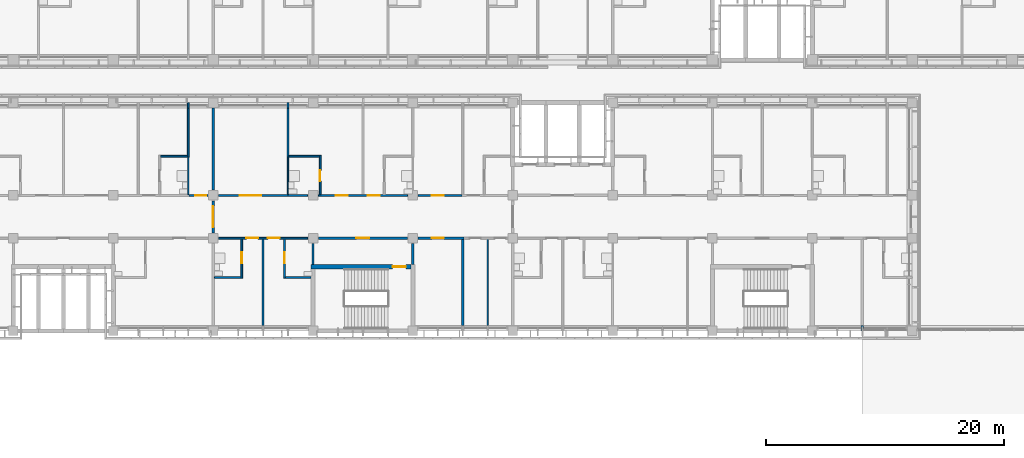
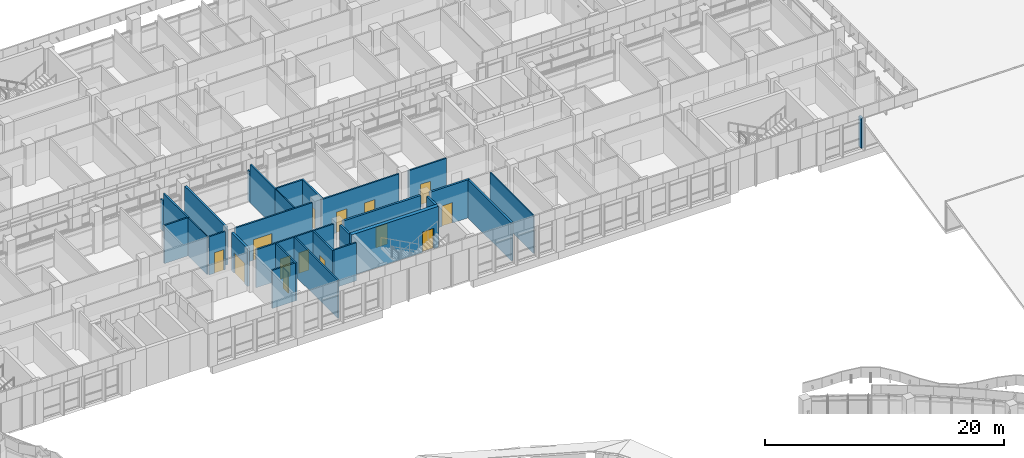
# One storey, part 79 of 137: 29 walls, 14 doors, 14 openings.
"""IFC4 building model written with IfcOpenShell, lengths in metres."""

from ifc_helpers import new_model, si_unit, direction, frame, frame_2d, origin, place, context, subcontext, project, spatial, rectangle, extrude, material, layer, layer_set, type_object, element, fill, save


model = new_model("IFC4")

# Units and contexts
model_context = context("Model", 3, precision=1e-05, world=origin(), true_north=direction((0.0, 1.0)))
body_context = subcontext(model_context, "Body", "Model", "MODEL_VIEW")
ifc_project = project(units=[si_unit("LENGTHUNIT", "METRE"), si_unit("AREAUNIT", "SQUARE_METRE"), si_unit("VOLUMEUNIT", "CUBIC_METRE"), si_unit("PLANEANGLEUNIT", "RADIAN"), si_unit("MASSUNIT", "GRAM", prefix="KILO")], contexts=[model_context])

# Site, building, storey
site_placement = place(None, origin())
site = spatial("IfcSite", under=ifc_project, at=site_placement, CompositionType="ELEMENT")
building_placement = place(site_placement, origin())
building = spatial("IfcBuilding", under=site, at=building_placement, Name="Bougainvillea Quay General Hospital", CompositionType="ELEMENT")
storey_placement = place(building_placement, frame((0.0, 0.0, 16.800048828125)))
storey = spatial("IfcBuildingStorey", under=building, at=storey_placement, Name="L03", CompositionType="ELEMENT", Elevation=16.800048828125)

# Walls
ifc_material_1 = material(Name="Gypsum board partition on steel studs", Category="steel")
ifc_layer_1 = layer(ifc_material_1, 0.10009765625)
ifc_layer_set_1 = layer_set([ifc_layer_1], Name="Gypsum board partition on steel studs")
wall_type_1 = type_object("IfcWallType", Name="Partition 100 Gypsum board partition", PredefinedType="PARTITIONING", material=ifc_layer_set_1)
wall_1_placement = place(storey_placement, frame((132.300048828125, 118.050048828125, 0.0), z_axis=(0.0, 0.0, 1.0), x_axis=(0.0, 1.0, 0.0)))
element("IfcWall", 1, at=wall_1_placement, inside=storey, type_object=wall_type_1, Name="Partition 100 mm", PredefinedType="PARTITIONING", context=body_context, shape_type="SweptSolid", body=[
    extrude(rectangle(XDim=7.27490234375, YDim=0.10009765625, at=frame_2d((3.637451171875, 0.0))), origin(), (0.0, 0.0, 1.0), 3.89990234375),
])
for number, where, z_axis, x_axis, name in (
    (2, (107.10009765625, 129.074951171875, 0.0), (0.0, 0.0, 1.0), (0.0, 1.0, 0.0), "Partition 100 mm"),
    (3, (115.5, 129.074951171875, 0.0), (0.0, 0.0, 1.0), (0.0, 1.0, 0.0), "Partition 100 mm"),
):
    element("IfcWall", number, at=place(storey_placement, frame(where, z_axis=z_axis, x_axis=x_axis)), inside=storey, type_object=wall_type_1, Name=name, PredefinedType="PARTITIONING", context=body_context, shape_type="SweptSolid", body=[
        extrude(rectangle(XDim=3.150146484375, YDim=0.10009765625, at=frame_2d((1.5751953125, 0.0))), origin(), (0.0, 0.0, 1.0), 3.89990234375),
    ])
ifc_material_2 = material(Name="Gypsum board partition on steel studs, insulated", Category="steel")
ifc_layer_2 = layer(ifc_material_2, 0.14990234375)
ifc_layer_set_2 = layer_set([ifc_layer_2], Name="Gypsum board partition on steel studs, insulated")
wall_type_2 = type_object("IfcWallType", Name="Partition 150 Gypsum board partition", PredefinedType="PARTITIONING", material=ifc_layer_set_2)
wall_2_placement = place(storey_placement, frame((113.39990234375, 118.050048828125, 0.0), z_axis=(0.0, 0.0, 1.0), x_axis=(0.0, 1.0, 0.0)))
element("IfcWall", 4, at=wall_2_placement, inside=storey, type_object=wall_type_2, Name="Partition 150 mm", PredefinedType="PARTITIONING", context=body_context, shape_type="SweptSolid", body=[
    extrude(rectangle(XDim=7.27490234375, YDim=0.14990234375, at=frame_2d((3.637451171875, 0.0))), origin(), (0.0, 0.0, 1.0), 3.89990234375),
])
wall_3_placement = place(storey_placement, frame((107.10009765625, 132.22509765625, 0.0), z_axis=(0.0, 0.0, 1.0), x_axis=(0.0, 1.0, 0.0)))
element("IfcWall", 5, at=wall_3_placement, inside=storey, type_object=wall_type_2, Name="Partition 150 mm", PredefinedType="PARTITIONING", context=body_context, shape_type="SweptSolid", body=[
    extrude(rectangle(XDim=4.125, YDim=0.14990234375, at=frame_2d((2.0625, 0.0))), origin(), (0.0, 0.0, 1.0), 3.89990234375),
])
wall_4_placement = place(storey_placement, frame((107.10009765625, 136.35009765625, 0.0), z_axis=(0.0, 0.0, 1.0), x_axis=(0.0, 1.0, 0.0)))
element("IfcWall", 6, at=wall_4_placement, inside=storey, type_object=wall_type_2, Name="Partition 150 mm", PredefinedType="PARTITIONING", context=body_context, shape_type="SweptSolid", body=[
    extrude(rectangle(XDim=0.449951171875, YDim=0.14990234375, at=frame_2d((0.22509765625, 0.0))), origin(), (0.0, 0.0, 1.0), 3.079833984375),
])
wall_5_placement = place(storey_placement, frame((115.5, 132.22509765625, 0.0), z_axis=(0.0, 0.0, 1.0), x_axis=(0.0, 1.0, 0.0)))
element("IfcWall", 7, at=wall_5_placement, inside=storey, type_object=wall_type_2, Name="Partition 150 mm", PredefinedType="PARTITIONING", context=body_context, shape_type="SweptSolid", body=[
    extrude(rectangle(XDim=4.125, YDim=0.14990234375, at=frame_2d((2.0625, 0.0))), origin(), (0.0, 0.0, 1.0), 3.89990234375),
])
wall_6_placement = place(storey_placement, frame((115.5, 136.35009765625, 0.0), z_axis=(0.0, 0.0, 1.0), x_axis=(0.0, 1.0, 0.0)))
element("IfcWall", 8, at=wall_6_placement, inside=storey, type_object=wall_type_2, Name="Partition 150 mm", PredefinedType="PARTITIONING", context=body_context, shape_type="SweptSolid", body=[
    extrude(rectangle(XDim=0.449951171875, YDim=0.14990234375, at=frame_2d((0.22509765625, 0.0))), origin(), (0.0, 0.0, 1.0), 3.079833984375),
])

# Wall, opening, door
wall_7_placement = place(storey_placement, frame((111.60009765625, 122.02490234375, 0.0), z_axis=(0.0, 0.0, 1.0), x_axis=(0.0, 1.0, 0.0)))
wall_7 = element("IfcWall", 9, at=wall_7_placement, inside=storey, type_object=wall_type_2, Name="Partition 150 mm", PredefinedType="PARTITIONING", context=body_context, shape_type="SweptSolid", body=[
    extrude(rectangle(XDim=3.300048828125, YDim=0.14990234375, at=frame_2d((1.64990234375, 0.0))), origin(), (0.0, 0.0, 1.0), 3.89990234375),
])
opening_1_placement = place(wall_7_placement, frame((1.27490234375, 0.0, 0.0)))
opening_1 = element("IfcOpeningElement", 10, at=opening_1_placement, cuts=wall_7, Name="Opening L03.102", PredefinedType="OPENING", context=body_context, shape_type="SweptSolid", body=[
    extrude(rectangle(XDim=0.89990234375, YDim=2.10009765625, at=frame_2d((0.449951171875, 1.050048828125))), frame((0.0, 0.0849609375, 0.0), z_axis=(0.0, -1.0, 0.0), x_axis=(1.0, 0.0, 0.0)), (0.0, 0.0, 1.0), 0.169921875),
])
ifc_material_3 = material(Name="Solid-core timber door leaf in steel frame", Category="steel")
door_type_1 = type_object("IfcDoorType", Name="Single leaf door 900x2100", OperationType="NOTDEFINED", PredefinedType="DOOR", material=ifc_material_3)
door_1_placement = place(opening_1_placement, origin())
door_1 = element("IfcDoor", 11, at=door_1_placement, inside=storey, type_object=door_type_1, Name="DT07 L03.102", OperationType="SINGLE_SWING_RIGHT", OverallHeight=2.10009765625, OverallWidth=0.89990234375, PredefinedType="DOOR", context=body_context, shape_type="SweptSolid", body=[
    extrude(rectangle(XDim=0.89990234375, YDim=2.10009765625, at=frame_2d((0.449951171875, 1.050048828125))), frame((0.0, 0.02490234375, 0.0), z_axis=(0.0, -1.0, 0.0), x_axis=(1.0, 0.0, 0.0)), (0.0, 0.0, 1.0), 0.050048828125),
])
fill(opening_1, door_1)

wall_8_placement = place(storey_placement, frame((115.199951171875, 122.02490234375, 0.0), z_axis=(0.0, 0.0, 1.0), x_axis=(0.0, 1.0, 0.0)))
wall_8 = element("IfcWall", 12, at=wall_8_placement, inside=storey, type_object=wall_type_2, Name="Partition 150 mm", PredefinedType="PARTITIONING", context=body_context, shape_type="SweptSolid", body=[
    extrude(rectangle(XDim=3.300048828125, YDim=0.14990234375, at=frame_2d((1.64990234375, 0.0))), origin(), (0.0, 0.0, 1.0), 3.89990234375),
])
opening_2_placement = place(wall_8_placement, frame((1.27490234375, 0.0, 0.0)))
opening_2 = element("IfcOpeningElement", 13, at=opening_2_placement, cuts=wall_8, Name="Opening L03.104", PredefinedType="OPENING", context=body_context, shape_type="SweptSolid", body=[
    extrude(rectangle(XDim=0.89990234375, YDim=2.10009765625, at=frame_2d((0.449951171875, 1.050048828125))), frame((0.0, 0.0849609375, 0.0), z_axis=(0.0, -1.0, 0.0), x_axis=(1.0, 0.0, 0.0)), (0.0, 0.0, 1.0), 0.169921875),
])
door_2_placement = place(opening_2_placement, frame((0.89990234375, 0.0, 0.0), z_axis=(0.0, 0.0, 1.0), x_axis=(-1.0, 0.0, 0.0)))
door_2 = element("IfcDoor", 14, at=door_2_placement, inside=storey, type_object=door_type_1, Name="DT07 L03.104", OperationType="SINGLE_SWING_LEFT", OverallHeight=2.10009765625, OverallWidth=0.89990234375, PredefinedType="DOOR", context=body_context, shape_type="SweptSolid", body=[
    extrude(rectangle(XDim=0.89990234375, YDim=2.10009765625, at=frame_2d((0.449951171875, 1.050048828125))), frame((0.0, 0.02490234375, 0.0), z_axis=(0.0, -1.0, 0.0), x_axis=(1.0, 0.0, 0.0)), (0.0, 0.0, 1.0), 0.050048828125),
])
fill(opening_2, door_2)

wall_9_placement = place(storey_placement, frame((118.199951171875, 129.074951171875, 0.0), z_axis=(0.0, 0.0, 1.0), x_axis=(0.0, 1.0, 0.0)))
wall_9 = element("IfcWall", 15, at=wall_9_placement, inside=storey, type_object=wall_type_2, Name="Partition 150 mm", PredefinedType="PARTITIONING", context=body_context, shape_type="SweptSolid", body=[
    extrude(rectangle(XDim=3.300048828125, YDim=0.14990234375, at=frame_2d((1.64990234375, 0.0))), origin(), (0.0, 0.0, 1.0), 3.89990234375),
])
opening_3_placement = place(wall_9_placement, frame((1.125, 0.0, 0.0)))
opening_3 = element("IfcOpeningElement", 16, at=opening_3_placement, cuts=wall_9, Name="Opening L03.107", PredefinedType="OPENING", context=body_context, shape_type="SweptSolid", body=[
    extrude(rectangle(XDim=0.89990234375, YDim=2.10009765625, at=frame_2d((0.449951171875, 1.050048828125))), frame((0.0, 0.0849609375, 0.0), z_axis=(0.0, -1.0, 0.0), x_axis=(1.0, 0.0, 0.0)), (0.0, 0.0, 1.0), 0.169921875),
])
door_3_placement = place(opening_3_placement, origin())
door_3 = element("IfcDoor", 17, at=door_3_placement, inside=storey, type_object=door_type_1, Name="DT07 L03.107", OperationType="SINGLE_SWING_LEFT", OverallHeight=2.10009765625, OverallWidth=0.89990234375, PredefinedType="DOOR", context=body_context, shape_type="SweptSolid", body=[
    extrude(rectangle(XDim=0.89990234375, YDim=2.10009765625, at=frame_2d((0.449951171875, 1.050048828125))), frame((0.0, 0.02490234375, 0.0), z_axis=(0.0, -1.0, 0.0), x_axis=(1.0, 0.0, 0.0)), (0.0, 0.0, 1.0), 0.050048828125),
])
fill(opening_3, door_3)

# Walls
wall_10_placement = place(storey_placement, frame((115.574951171875, 132.300048828125, 0.0), z_axis=(0.0, 0.0, 1.0), x_axis=(1.0, 0.0, 0.0)))
element("IfcWall", 18, at=wall_10_placement, inside=storey, type_object=wall_type_2, Name="Partition 150 mm", PredefinedType="PARTITIONING", context=body_context, shape_type="SweptSolid", body=[
    extrude(rectangle(XDim=2.550048828125, YDim=0.14990234375, at=frame_2d((1.27490234375, 0.0))), origin(), (0.0, 0.0, 1.0), 3.89990234375),
])
wall_11_placement = place(storey_placement, frame((104.77490234375, 132.300048828125, 0.0), z_axis=(0.0, 0.0, 1.0), x_axis=(1.0, 0.0, 0.0)))
element("IfcWall", 19, at=wall_11_placement, inside=storey, type_object=wall_type_2, Name="Partition 150 mm", PredefinedType="PARTITIONING", context=body_context, shape_type="SweptSolid", body=[
    extrude(rectangle(XDim=2.25, YDim=0.14990234375, at=frame_2d((1.125, 0.0))), origin(), (0.0, 0.0, 1.0), 3.89990234375),
])
wall_12_placement = place(storey_placement, frame((109.300048828125, 122.10009765625, 0.0), z_axis=(0.0, 0.0, 1.0), x_axis=(1.0, 0.0, 0.0)))
element("IfcWall", 20, at=wall_12_placement, inside=storey, type_object=wall_type_2, Name="Partition 150 mm", PredefinedType="PARTITIONING", context=body_context, shape_type="SweptSolid", body=[
    extrude(rectangle(XDim=2.224853515625, YDim=0.14990234375, at=frame_2d((1.1123046875, 0.0))), origin(), (0.0, 0.0, 1.0), 3.89990234375),
])
wall_13_placement = place(storey_placement, frame((115.27490234375, 122.10009765625, 0.0), z_axis=(0.0, 0.0, 1.0), x_axis=(1.0, 0.0, 0.0)))
element("IfcWall", 21, at=wall_13_placement, inside=storey, type_object=wall_type_2, Name="Partition 150 mm", PredefinedType="PARTITIONING", context=body_context, shape_type="SweptSolid", body=[
    extrude(rectangle(XDim=2.150146484375, YDim=0.14990234375, at=frame_2d((1.0751953125, 0.0))), origin(), (0.0, 0.0, 1.0), 3.89990234375),
])

# Wall, openings, doors
ifc_layer_3 = layer(ifc_material_2, 0.14990234375)
ifc_layer_set_3 = layer_set([ifc_layer_3], Name="Gypsum board partition on steel studs, insulated")
wall_type_3 = type_object("IfcWallType", Name="Partition 150 Gypsum board partition EI 30", PredefinedType="PARTITIONING", material=ifc_layer_set_3)
wall_14_placement = place(storey_placement, frame((117.14990234375, 125.39990234375, 0.0), z_axis=(0.0, 0.0, 1.0), x_axis=(-1.0, 0.0, 0.0)))
wall_14 = element("IfcWall", 22, at=wall_14_placement, inside=storey, type_object=wall_type_3, Name="Partition 150 mm EI 30", PredefinedType="PARTITIONING", context=body_context, shape_type="SweptSolid", body=[
    extrude(rectangle(XDim=7.5, YDim=0.14990234375, at=frame_2d((3.75, 0.0))), origin(), (0.0, 0.0, 1.0), 3.89990234375),
])
opening_4_placement = place(wall_14_placement, frame((4.14990234375, 0.0, 0.0)))
opening_4 = element("IfcOpeningElement", 23, at=opening_4_placement, cuts=wall_14, Name="Opening L03.101", PredefinedType="OPENING", context=body_context, shape_type="SweptSolid", body=[
    extrude(rectangle(XDim=1.0, YDim=2.10009765625, at=frame_2d((0.5, 1.050048828125))), frame((0.0, 0.0849609375, 0.0), z_axis=(0.0, -1.0, 0.0), x_axis=(1.0, 0.0, 0.0)), (0.0, 0.0, 1.0), 0.169921875),
])
opening_5_placement = place(wall_14_placement, frame((2.35009765625, 0.0, 0.0)))
opening_5 = element("IfcOpeningElement", 24, at=opening_5_placement, cuts=wall_14, Name="Opening L03.103", PredefinedType="OPENING", context=body_context, shape_type="SweptSolid", body=[
    extrude(rectangle(XDim=1.0, YDim=2.10009765625, at=frame_2d((0.5, 1.050048828125))), frame((0.0, 0.0849609375, 0.0), z_axis=(0.0, -1.0, 0.0), x_axis=(1.0, 0.0, 0.0)), (0.0, 0.0, 1.0), 0.169921875),
])
door_type_2 = type_object("IfcDoorType", Name="Single leaf door 1000x2100 FD30S", OperationType="NOTDEFINED", PredefinedType="DOOR", material=ifc_material_3)
door_4_placement = place(opening_4_placement, origin())
door_4 = element("IfcDoor", 25, at=door_4_placement, inside=storey, type_object=door_type_2, Name="DT15 L03.101", OperationType="SINGLE_SWING_RIGHT", OverallHeight=2.10009765625, OverallWidth=1.0, PredefinedType="DOOR", context=body_context, shape_type="SweptSolid", body=[
    extrude(rectangle(XDim=1.0, YDim=2.10009765625, at=frame_2d((0.5, 1.050048828125))), frame((0.0, 0.02490234375, 0.0), z_axis=(0.0, -1.0, 0.0), x_axis=(1.0, 0.0, 0.0)), (0.0, 0.0, 1.0), 0.050048828125),
])
fill(opening_4, door_4)
door_5_placement = place(opening_5_placement, origin())
door_5 = element("IfcDoor", 26, at=door_5_placement, inside=storey, type_object=door_type_2, Name="DT15 L03.103", OperationType="SINGLE_SWING_LEFT", OverallHeight=2.10009765625, OverallWidth=1.0, PredefinedType="DOOR", context=body_context, shape_type="SweptSolid", body=[
    extrude(rectangle(XDim=1.0, YDim=2.10009765625, at=frame_2d((0.5, 1.050048828125))), frame((0.0, 0.02490234375, 0.0), z_axis=(0.0, -1.0, 0.0), x_axis=(1.0, 0.0, 0.0)), (0.0, 0.0, 1.0), 0.050048828125),
])
fill(opening_5, door_5)

wall_15_placement = place(storey_placement, frame((125.550048828125, 129.0, 0.0), z_axis=(0.0, 0.0, 1.0), x_axis=(-1.0, 0.0, 0.0)))
wall_15 = element("IfcWall", 27, at=wall_15_placement, inside=storey, type_object=wall_type_3, Name="Partition 150 mm EI 30", PredefinedType="PARTITIONING", context=body_context, shape_type="SweptSolid", body=[
    extrude(rectangle(XDim=7.5, YDim=0.14990234375, at=frame_2d((3.75, 0.0))), origin(), (0.0, 0.0, 1.0), 3.89990234375),
])
opening_6_placement = place(wall_15_placement, frame((5.050048828125, 0.0, 0.0)))
opening_6 = element("IfcOpeningElement", 28, at=opening_6_placement, cuts=wall_15, Name="Opening L03.106", PredefinedType="OPENING", context=body_context, shape_type="SweptSolid", body=[
    extrude(rectangle(XDim=1.0, YDim=2.10009765625, at=frame_2d((0.5, 1.050048828125))), frame((0.0, 0.0849609375, 0.0), z_axis=(0.0, -1.0, 0.0), x_axis=(1.0, 0.0, 0.0)), (0.0, 0.0, 1.0), 0.169921875),
])
opening_7_placement = place(wall_15_placement, frame((2.35009765625, 0.0, 0.0)))
opening_7 = element("IfcOpeningElement", 29, at=opening_7_placement, cuts=wall_15, Name="Opening L03.108", PredefinedType="OPENING", context=body_context, shape_type="SweptSolid", body=[
    extrude(rectangle(XDim=1.0, YDim=2.10009765625, at=frame_2d((0.5, 1.050048828125))), frame((0.0, 0.0849609375, 0.0), z_axis=(0.0, -1.0, 0.0), x_axis=(1.0, 0.0, 0.0)), (0.0, 0.0, 1.0), 0.169921875),
])
door_6_placement = place(opening_6_placement, frame((1.0, 0.0, 0.0), z_axis=(0.0, 0.0, 1.0), x_axis=(-1.0, 0.0, 0.0)))
door_6 = element("IfcDoor", 30, at=door_6_placement, inside=storey, type_object=door_type_2, Name="DT15 L03.106", OperationType="SINGLE_SWING_LEFT", OverallHeight=2.10009765625, OverallWidth=1.0, PredefinedType="DOOR", context=body_context, shape_type="SweptSolid", body=[
    extrude(rectangle(XDim=1.0, YDim=2.10009765625, at=frame_2d((0.5, 1.050048828125))), frame((0.0, 0.02490234375, 0.0), z_axis=(0.0, -1.0, 0.0), x_axis=(1.0, 0.0, 0.0)), (0.0, 0.0, 1.0), 0.050048828125),
])
fill(opening_6, door_6)
door_7_placement = place(opening_7_placement, frame((1.0, 0.0, 0.0), z_axis=(0.0, 0.0, 1.0), x_axis=(-1.0, 0.0, 0.0)))
door_7 = element("IfcDoor", 31, at=door_7_placement, inside=storey, type_object=door_type_2, Name="DT15 L03.108", OperationType="SINGLE_SWING_RIGHT", OverallHeight=2.10009765625, OverallWidth=1.0, PredefinedType="DOOR", context=body_context, shape_type="SweptSolid", body=[
    extrude(rectangle(XDim=1.0, YDim=2.10009765625, at=frame_2d((0.5, 1.050048828125))), frame((0.0, 0.02490234375, 0.0), z_axis=(0.0, -1.0, 0.0), x_axis=(1.0, 0.0, 0.0)), (0.0, 0.0, 1.0), 0.050048828125),
])
fill(opening_7, door_7)

# Wall, opening, door
wall_16_placement = place(storey_placement, frame((117.14990234375, 129.0, 0.0), z_axis=(0.0, 0.0, 1.0), x_axis=(-1.0, 0.0, 0.0)))
wall_16 = element("IfcWall", 32, at=wall_16_placement, inside=storey, type_object=wall_type_3, Name="Partition 150 mm EI 30", PredefinedType="PARTITIONING", context=body_context, shape_type="SweptSolid", body=[
    extrude(rectangle(XDim=7.5, YDim=0.14990234375, at=frame_2d((3.75, 0.0))), origin(), (0.0, 0.0, 1.0), 3.89990234375),
])
opening_8_placement = place(wall_16_placement, frame((3.89990234375, 0.0, 0.0)))
opening_8 = element("IfcOpeningElement", 33, at=opening_8_placement, cuts=wall_16, Name="Opening L03.105", PredefinedType="OPENING", context=body_context, shape_type="SweptSolid", body=[
    extrude(rectangle(XDim=1.800048828125, YDim=2.10009765625, at=frame_2d((0.89990234375, 1.050048828125))), frame((0.0, 0.0849609375, 0.0), z_axis=(0.0, -1.0, 0.0), x_axis=(1.0, 0.0, 0.0)), (0.0, 0.0, 1.0), 0.169921875),
])
ifc_material_4 = material(Name="Solid-core timber door leaves in steel frame", Category="steel")
door_type_3 = type_object("IfcDoorType", Name="Double leaf door 1800x2100 FD30S", OperationType="DOUBLE_DOOR_SINGLE_SWING", PredefinedType="DOOR", material=ifc_material_4)
door_8_placement = place(opening_8_placement, frame((1.800048828125, 0.0, 0.0), z_axis=(0.0, 0.0, 1.0), x_axis=(-1.0, 0.0, 0.0)))
door_8 = element("IfcDoor", 34, at=door_8_placement, inside=storey, type_object=door_type_3, Name="DT17 L03.105", OperationType="DOUBLE_DOOR_SINGLE_SWING", OverallHeight=2.10009765625, OverallWidth=1.800048828125, PredefinedType="DOOR", context=body_context, shape_type="SweptSolid", body=[
    extrude(rectangle(XDim=1.800048828125, YDim=2.10009765625, at=frame_2d((0.89990234375, 1.050048828125))), frame((0.0, 0.02490234375, 0.0), z_axis=(0.0, -1.0, 0.0), x_axis=(1.0, 0.0, 0.0)), (0.0, 0.0, 1.0), 0.050048828125),
])
fill(opening_8, door_8)

ifc_layer_4 = layer(ifc_material_2, 0.14990234375)
ifc_layer_set_4 = layer_set([ifc_layer_4], Name="Gypsum board partition on steel studs, insulated")
wall_type_4 = type_object("IfcWallType", Name="Partition 150 Gypsum board partition EI 60", PredefinedType="PARTITIONING", material=ifc_layer_set_4)
wall_17_placement = place(storey_placement, frame((126.449951171875, 129.0, 0.0), z_axis=(0.0, 0.0, 1.0), x_axis=(1.0, 0.0, 0.0)))
wall_17 = element("IfcWall", 35, at=wall_17_placement, inside=storey, type_object=wall_type_4, Name="Partition 150 mm EI 60", PredefinedType="PARTITIONING", context=body_context, shape_type="SweptSolid", body=[
    extrude(rectangle(XDim=3.675048828125, YDim=0.14990234375, at=frame_2d((1.83740234375, 0.0))), origin(), (0.0, 0.0, 1.0), 3.89990234375),
])
opening_9_placement = place(wall_17_placement, frame((1.14990234375, 0.0, 0.0)))
opening_9 = element("IfcOpeningElement", 36, at=opening_9_placement, cuts=wall_17, Name="Opening L03.110", PredefinedType="OPENING", context=body_context, shape_type="SweptSolid", body=[
    extrude(rectangle(XDim=1.0, YDim=2.10009765625, at=frame_2d((0.5, 1.050048828125))), frame((0.0, 0.0849609375, 0.0), z_axis=(0.0, -1.0, 0.0), x_axis=(1.0, 0.0, 0.0)), (0.0, 0.0, 1.0), 0.169921875),
])
door_type_4 = type_object("IfcDoorType", Name="Single leaf door 1000x2100 FD60", OperationType="NOTDEFINED", PredefinedType="DOOR", material=ifc_material_3)
door_9_placement = place(opening_9_placement, origin())
door_9 = element("IfcDoor", 37, at=door_9_placement, inside=storey, type_object=door_type_4, Name="DT14 L03.110", OperationType="SINGLE_SWING_LEFT", OverallHeight=2.10009765625, OverallWidth=1.0, PredefinedType="DOOR", context=body_context, shape_type="SweptSolid", body=[
    extrude(rectangle(XDim=1.0, YDim=2.10009765625, at=frame_2d((0.5, 1.050048828125))), frame((0.0, 0.02490234375, 0.0), z_axis=(0.0, -1.0, 0.0), x_axis=(1.0, 0.0, 0.0)), (0.0, 0.0, 1.0), 0.050048828125),
])
fill(opening_9, door_9)

wall_18_placement = place(storey_placement, frame((107.175048828125, 129.0, 0.0), z_axis=(0.0, 0.0, 1.0), x_axis=(1.0, 0.0, 0.0)))
wall_18 = element("IfcWall", 38, at=wall_18_placement, inside=storey, type_object=wall_type_4, Name="Partition 150 mm EI 60", PredefinedType="PARTITIONING", context=body_context, shape_type="SweptSolid", body=[
    extrude(rectangle(XDim=1.574951171875, YDim=0.14990234375, at=frame_2d((0.78759765625, 0.0))), origin(), (0.0, 0.0, 1.0), 3.89990234375),
])
opening_10_placement = place(wall_18_placement, frame((0.52490234375, 0.0, 0.0)))
opening_10 = element("IfcOpeningElement", 39, at=opening_10_placement, cuts=wall_18, Name="Opening L03.097", PredefinedType="OPENING", context=body_context, shape_type="SweptSolid", body=[
    extrude(rectangle(XDim=0.89990234375, YDim=2.10009765625, at=frame_2d((0.449951171875, 1.050048828125))), frame((0.0, 0.0849609375, 0.0), z_axis=(0.0, -1.0, 0.0), x_axis=(1.0, 0.0, 0.0)), (0.0, 0.0, 1.0), 0.169921875),
])
door_type_5 = type_object("IfcDoorType", Name="Single leaf door 900x2100 FD60", OperationType="NOTDEFINED", PredefinedType="DOOR", material=ifc_material_3)
door_10_placement = place(opening_10_placement, origin())
door_10 = element("IfcDoor", 40, at=door_10_placement, inside=storey, type_object=door_type_5, Name="DT18 L03.097", OperationType="SINGLE_SWING_RIGHT", OverallHeight=2.10009765625, OverallWidth=0.89990234375, PredefinedType="DOOR", context=body_context, shape_type="SweptSolid", body=[
    extrude(rectangle(XDim=0.89990234375, YDim=2.10009765625, at=frame_2d((0.449951171875, 1.050048828125))), frame((0.0, 0.02490234375, 0.0), z_axis=(0.0, -1.0, 0.0), x_axis=(1.0, 0.0, 0.0)), (0.0, 0.0, 1.0), 0.050048828125),
])
fill(opening_10, door_10)

# Wall
ifc_material_5 = material(Name="Fire-rated autoclaved aerated block wall, plastered")
ifc_layer_5 = layer(ifc_material_5, 0.199951171875)
ifc_layer_set_5 = layer_set([ifc_layer_5], Name="Fire-rated autoclaved aerated block wall, plastered")
wall_type_5 = type_object("IfcWallType", Name="Partition 200 Fire-rated autoclaved aerated block wall EI 120", PredefinedType="SOLIDWALL", material=ifc_layer_set_5)
wall_19_placement = place(storey_placement, frame((109.199951171875, 136.35009765625, 0.0), z_axis=(0.0, 0.0, 1.0), x_axis=(0.0, -1.0, 0.0)))
element("IfcWall", 41, at=wall_19_placement, inside=storey, type_object=wall_type_5, Name="Partition 200 mm EI 120", PredefinedType="SOLIDWALL", context=body_context, shape_type="SweptSolid", body=[
    extrude(rectangle(XDim=6.900146484375, YDim=0.199951171875, at=frame_2d((3.4501953125, 0.0))), origin(), (0.0, 0.0, 1.0), 3.89990234375),
])

# Wall, opening, door
wall_20_placement = place(storey_placement, frame((109.199951171875, 128.550048828125, 0.0), z_axis=(0.0, 0.0, 1.0), x_axis=(0.0, -1.0, 0.0)))
wall_20 = element("IfcWall", 42, at=wall_20_placement, inside=storey, type_object=wall_type_5, Name="Partition 200 mm EI 120", PredefinedType="SOLIDWALL", context=body_context, shape_type="SweptSolid", body=[
    extrude(rectangle(XDim=2.699951171875, YDim=0.199951171875, at=frame_2d((1.35009765625, 0.0))), origin(), (0.0, 0.0, 1.0), 3.89990234375),
])
opening_11_placement = place(wall_20_placement, frame((0.449951171875, 0.0, 0.0)))
opening_11 = element("IfcOpeningElement", 43, at=opening_11_placement, cuts=wall_20, Name="Opening L03.076", PredefinedType="OPENING", context=body_context, shape_type="SweptSolid", body=[
    extrude(rectangle(XDim=1.800048828125, YDim=2.10009765625, at=frame_2d((0.89990234375, 1.050048828125))), frame((0.0, 0.10986328125, 0.0), z_axis=(0.0, -1.0, 0.0), x_axis=(1.0, 0.0, 0.0)), (0.0, 0.0, 1.0), 0.219970703125),
])
ifc_material_6 = material(Name="Steel fire door leaves in steel frame", Category="steel")
door_type_6 = type_object("IfcDoorType", Name="Steel double leaf door 1800x2100 FD90", OperationType="DOUBLE_DOOR_SINGLE_SWING", PredefinedType="DOOR", material=ifc_material_6)
door_11_placement = place(opening_11_placement, origin())
door_11 = element("IfcDoor", 44, at=door_11_placement, inside=storey, type_object=door_type_6, Name="DT03 L03.076", OperationType="DOUBLE_DOOR_SINGLE_SWING", OverallHeight=2.10009765625, OverallWidth=1.800048828125, PredefinedType="DOOR", context=body_context, shape_type="SweptSolid", body=[
    extrude(rectangle(XDim=1.800048828125, YDim=2.10009765625, at=frame_2d((0.89990234375, 1.050048828125))), frame((0.0, 0.02490234375, 0.0), z_axis=(0.0, -1.0, 0.0), x_axis=(1.0, 0.0, 0.0)), (0.0, 0.0, 1.0), 0.050048828125),
])
fill(opening_11, door_11)

wall_21_placement = place(storey_placement, frame((118.050048828125, 125.39990234375, 0.0), z_axis=(0.0, 0.0, 1.0), x_axis=(1.0, 0.0, 0.0)))
wall_21 = element("IfcWall", 45, at=wall_21_placement, inside=storey, type_object=wall_type_5, Name="Partition 200 mm EI 120", PredefinedType="SOLIDWALL", context=body_context, shape_type="SweptSolid", body=[
    extrude(rectangle(XDim=7.5, YDim=0.199951171875, at=frame_2d((3.75, 0.0))), origin(), (0.0, 0.0, 1.0), 3.89990234375),
])
opening_12_placement = place(wall_21_placement, frame((3.199951171875, 0.0, 0.0)))
opening_12 = element("IfcOpeningElement", 46, at=opening_12_placement, cuts=wall_21, Name="Opening L03.210", PredefinedType="OPENING", context=body_context, shape_type="SweptSolid", body=[
    extrude(rectangle(XDim=1.10009765625, YDim=2.10009765625, at=frame_2d((0.550048828125, 1.050048828125))), frame((0.0, 0.10986328125, 0.0), z_axis=(0.0, -1.0, 0.0), x_axis=(1.0, 0.0, 0.0)), (0.0, 0.0, 1.0), 0.219970703125),
])
ifc_material_7 = material(Name="Steel fire door leaf in steel frame", Category="steel")
door_type_7 = type_object("IfcDoorType", Name="Steel single leaf door 1100x2100 FD60", OperationType="NOTDEFINED", PredefinedType="DOOR", material=ifc_material_7)
door_12_placement = place(opening_12_placement, frame((1.10009765625, 0.0, 0.0), z_axis=(0.0, 0.0, 1.0), x_axis=(-1.0, 0.0, 0.0)))
door_12 = element("IfcDoor", 47, at=door_12_placement, inside=storey, type_object=door_type_7, Name="DT04 L03.210", OperationType="SINGLE_SWING_LEFT", OverallHeight=2.10009765625, OverallWidth=1.10009765625, PredefinedType="DOOR", context=body_context, shape_type="SweptSolid", body=[
    extrude(rectangle(XDim=1.10009765625, YDim=2.10009765625, at=frame_2d((0.550048828125, 1.050048828125))), frame((0.0, 0.02490234375, 0.0), z_axis=(0.0, -1.0, 0.0), x_axis=(1.0, 0.0, 0.0)), (0.0, 0.0, 1.0), 0.050048828125),
])
fill(opening_12, door_12)

wall_22_placement = place(storey_placement, frame((126.449951171875, 125.39990234375, 0.0), z_axis=(0.0, 0.0, 1.0), x_axis=(1.0, 0.0, 0.0)))
wall_22 = element("IfcWall", 48, at=wall_22_placement, inside=storey, type_object=wall_type_5, Name="Partition 200 mm EI 120", PredefinedType="SOLIDWALL", context=body_context, shape_type="SweptSolid", body=[
    extrude(rectangle(XDim=3.85009765625, YDim=0.199951171875, at=frame_2d((1.925048828125, 0.0))), origin(), (0.0, 0.0, 1.0), 3.89990234375),
])
opening_13_placement = place(wall_22_placement, frame((1.14990234375, 0.0, 0.0)))
opening_13 = element("IfcOpeningElement", 49, at=opening_13_placement, cuts=wall_22, Name="Opening L03.134", PredefinedType="OPENING", context=body_context, shape_type="SweptSolid", body=[
    extrude(rectangle(XDim=1.0, YDim=2.10009765625, at=frame_2d((0.5, 1.050048828125))), frame((0.0, 0.10986328125, 0.0), z_axis=(0.0, -1.0, 0.0), x_axis=(1.0, 0.0, 0.0)), (0.0, 0.0, 1.0), 0.219970703125),
])
door_type_8 = type_object("IfcDoorType", Name="Steel single leaf door 1000x2100 FD90", OperationType="NOTDEFINED", PredefinedType="DOOR", material=ifc_material_7)
door_13_placement = place(opening_13_placement, frame((1.0, 0.0, 0.0), z_axis=(0.0, 0.0, 1.0), x_axis=(-1.0, 0.0, 0.0)))
door_13 = element("IfcDoor", 50, at=door_13_placement, inside=storey, type_object=door_type_8, Name="DT11 L03.134", OperationType="SINGLE_SWING_RIGHT", OverallHeight=2.10009765625, OverallWidth=1.0, PredefinedType="DOOR", context=body_context, shape_type="SweptSolid", body=[
    extrude(rectangle(XDim=1.0, YDim=2.10009765625, at=frame_2d((0.5, 1.050048828125))), frame((0.0, 0.02490234375, 0.0), z_axis=(0.0, -1.0, 0.0), x_axis=(1.0, 0.0, 0.0)), (0.0, 0.0, 1.0), 0.050048828125),
])
fill(opening_13, door_13)

# Walls
wall_23_placement = place(storey_placement, frame((126.0, 123.175048828125, 0.0), z_axis=(0.0, 0.0, 1.0), x_axis=(0.0, 1.0, 0.0)))
element("IfcWall", 51, at=wall_23_placement, inside=storey, type_object=wall_type_5, Name="Partition 200 mm EI 120", PredefinedType="SOLIDWALL", context=body_context, shape_type="SweptSolid", body=[
    extrude(rectangle(XDim=1.77490234375, YDim=0.199951171875, at=frame_2d((0.887451171875, 0.0))), origin(), (0.0, 0.0, 1.0), 3.89990234375),
])
wall_24_placement = place(storey_placement, frame((130.199951171875, 118.050048828125, 0.0), z_axis=(0.0, 0.0, 1.0), x_axis=(0.0, 1.0, 0.0)))
element("IfcWall", 52, at=wall_24_placement, inside=storey, type_object=wall_type_5, Name="Partition 200 mm EI 120", PredefinedType="SOLIDWALL", context=body_context, shape_type="SweptSolid", body=[
    extrude(rectangle(XDim=7.25, YDim=0.199951171875, at=frame_2d((3.625, 0.0))), origin(), (0.0, 0.0, 1.0), 3.89990234375),
])
wall_25_placement = place(storey_placement, frame((163.800048828125, 117.60009765625, 0.0), z_axis=(0.0, 0.0, 1.0), x_axis=(0.0, 1.0, 0.0)))
element("IfcWall", 53, at=wall_25_placement, inside=storey, type_object=wall_type_5, Name="Partition 200 mm EI 120", PredefinedType="SOLIDWALL", context=body_context, shape_type="SweptSolid", body=[
    extrude(rectangle(XDim=0.449951171875, YDim=0.199951171875, at=frame_2d((0.22509765625, 0.0))), origin(), (0.0, 0.0, 1.0), 3.079833984375),
])
wall_26_placement = place(storey_placement, frame((117.60009765625, 123.175048828125, 0.0), z_axis=(0.0, 0.0, 1.0), x_axis=(0.0, 1.0, 0.0)))
element("IfcWall", 54, at=wall_26_placement, inside=storey, type_object=wall_type_5, Name="Partition 200 mm EI 120", PredefinedType="SOLIDWALL", context=body_context, shape_type="SweptSolid", body=[
    extrude(rectangle(XDim=1.77490234375, YDim=0.199951171875, at=frame_2d((0.887451171875, 0.0))), origin(), (0.0, 0.0, 1.0), 3.89990234375),
])

# Wall, opening, door
ifc_material_8 = material(Name="Concrete C40", Category="concrete")
ifc_layer_6 = layer(ifc_material_8, 0.35009765625)
ifc_layer_set_6 = layer_set([ifc_layer_6], Name="Concrete C40")
wall_type_6 = type_object("IfcWallType", Name="RC SHEAR WALL 350 C40", PredefinedType="SHEAR", material=ifc_layer_set_6)
wall_27_placement = place(storey_placement, frame((117.425048828125, 123.0, 0.0), z_axis=(0.0, 0.0, 1.0), x_axis=(1.0, 0.0, 0.0)))
wall_27 = element("IfcWall", 55, at=wall_27_placement, inside=storey, type_object=wall_type_6, Name="Shear wall L03", PredefinedType="SHEAR", context=body_context, shape_type="SweptSolid", body=[
    extrude(rectangle(XDim=8.39990234375, YDim=0.35009765625, at=frame_2d((4.199951171875, 0.0))), origin(), (0.0, 0.0, 1.0), 4.199951171875),
])
opening_14_placement = place(wall_27_placement, frame((6.875, 0.0, 0.0)))
opening_14 = element("IfcOpeningElement", 56, at=opening_14_placement, cuts=wall_27, Name="Opening L03.209", PredefinedType="OPENING", context=body_context, shape_type="SweptSolid", body=[
    extrude(rectangle(XDim=1.10009765625, YDim=2.10009765625, at=frame_2d((0.550048828125, 1.050048828125))), frame((0.0, 0.18505859375, 0.0), z_axis=(0.0, -1.0, 0.0), x_axis=(1.0, 0.0, 0.0)), (0.0, 0.0, 1.0), 0.3701171875),
])
door_14_placement = place(opening_14_placement, frame((1.10009765625, 0.0, 0.0), z_axis=(0.0, 0.0, 1.0), x_axis=(-1.0, 0.0, 0.0)))
door_14 = element("IfcDoor", 57, at=door_14_placement, inside=storey, type_object=door_type_7, Name="DT04 L03.209", OperationType="SINGLE_SWING_LEFT", OverallHeight=2.10009765625, OverallWidth=1.10009765625, PredefinedType="DOOR", context=body_context, shape_type="SweptSolid", body=[
    extrude(rectangle(XDim=1.10009765625, YDim=2.10009765625, at=frame_2d((0.550048828125, 1.050048828125))), frame((0.0, 0.02490234375, 0.0), z_axis=(0.0, -1.0, 0.0), x_axis=(1.0, 0.0, 0.0)), (0.0, 0.0, 1.0), 0.050048828125),
])
fill(opening_14, door_14)

save(model, "model.ifc")
